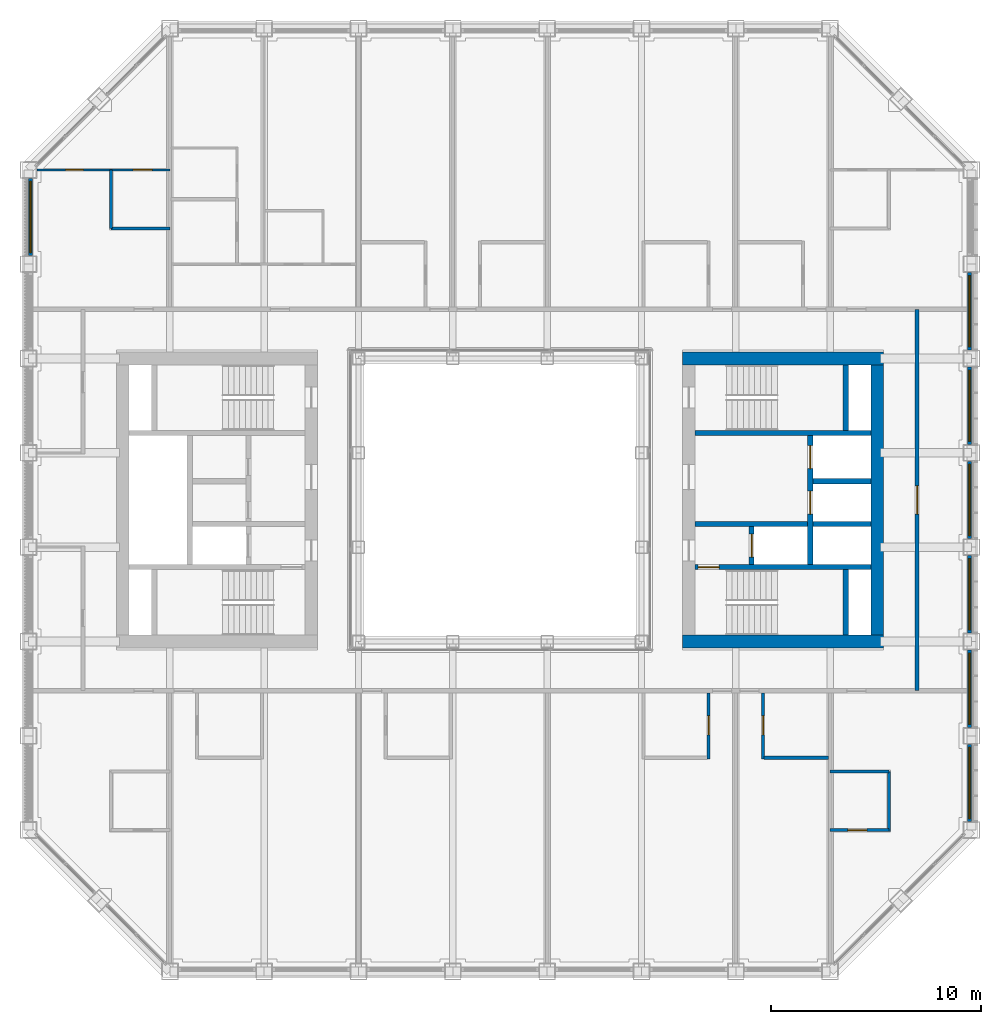
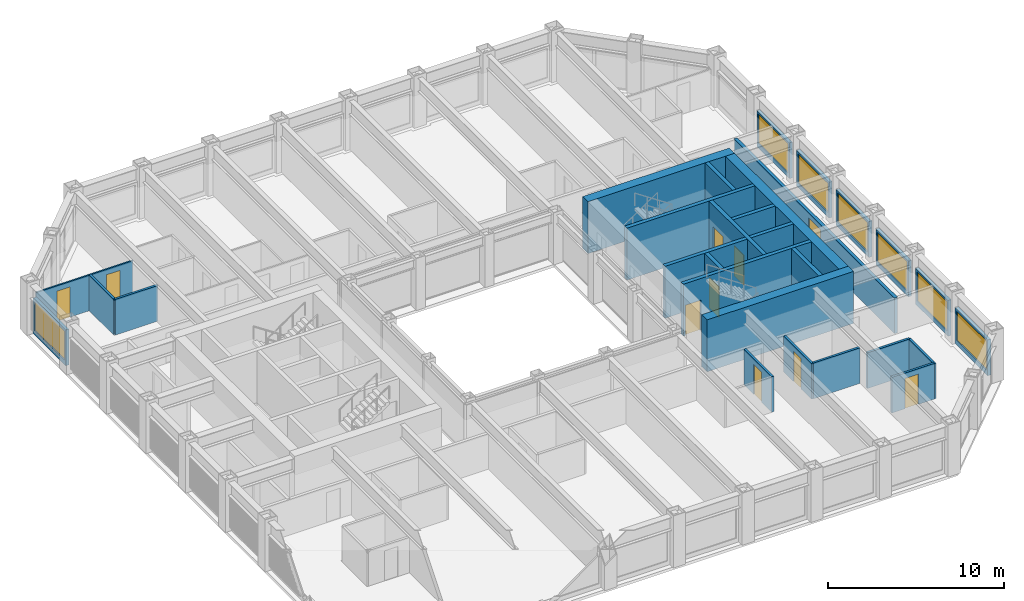
# One storey, part 12 of 17: 29 walls, 10 doors, 7 windows, 17 openings.
"""IFC4 building model written with IfcOpenShell, lengths in metres."""

from ifc_helpers import new_model, si_unit, direction, frame, frame_2d, origin, place, context, subcontext, project, spatial, rectangle, extrude, material, layer, layer_set, type_object, element, fill, save


model = new_model("IFC4")

# Units and contexts
model_context = context("Model", 3, precision=1e-05, world=origin(), true_north=direction((0.0, 1.0)))
body_context = subcontext(model_context, "Body", "Model", "MODEL_VIEW")
ifc_project = project(units=[si_unit("LENGTHUNIT", "METRE"), si_unit("AREAUNIT", "SQUARE_METRE"), si_unit("VOLUMEUNIT", "CUBIC_METRE"), si_unit("PLANEANGLEUNIT", "RADIAN"), si_unit("MASSUNIT", "GRAM", prefix="KILO")], contexts=[model_context])

# Site, building, storey
site_placement = place(None, origin())
site = spatial("IfcSite", under=ifc_project, at=site_placement, CompositionType="ELEMENT")
building_placement = place(site_placement, origin())
building = spatial("IfcBuilding", under=site, at=building_placement, Name="Msasa Ring Tower", CompositionType="ELEMENT")
storey_placement = place(building_placement, frame((0.0, 0.0, 176.0)))
storey = spatial("IfcBuildingStorey", under=building, at=storey_placement, Name="L46", CompositionType="ELEMENT", Elevation=176.0)

# Walls
ifc_material_1 = material(Name="Concrete C60/75", Category="concrete")
ifc_layer_1 = layer(ifc_material_1, 0.60009765625)
ifc_layer_set_1 = layer_set([ifc_layer_1], Name="CW2 CORE WALL 600")
wall_type_1 = type_object("IfcWallType", Name="CW2 CORE WALL 600", PredefinedType="SHEAR", material=ifc_layer_set_1)
for number, where, z_axis, x_axis, name in (
    (1, (8.699951171875, -6.75, 0.0), (0.0, 0.0, 1.0), (1.0, 0.0, 0.0), "E core wall S L46"),
    (2, (8.699951171875, 6.75, 0.0), (0.0, 0.0, 1.0), (1.0, 0.0, 0.0), "E core wall N L46"),
):
    element("IfcWall", number, at=place(storey_placement, frame(where, z_axis=z_axis, x_axis=x_axis)), inside=storey, type_object=wall_type_1, Name=name, PredefinedType="SHEAR", context=body_context, shape_type="SweptSolid", body=[
        extrude(rectangle(XDim=9.60009765625, YDim=0.60009765625, at=frame_2d((4.800048828125, 0.0))), origin(), (0.0, 0.0, 1.0), 3.60009765625),
    ])
wall_1_placement = place(storey_placement, frame((18.0, -6.449951171875, 0.0), z_axis=(0.0, 0.0, 1.0), x_axis=(0.0, 1.0, 0.0)))
element("IfcWall", 3, at=wall_1_placement, inside=storey, type_object=wall_type_1, Name="E core wall E L46", PredefinedType="SHEAR", context=body_context, shape_type="SweptSolid", body=[
    extrude(rectangle(XDim=12.89990234375, YDim=0.60009765625, at=frame_2d((6.449951171875, 0.0))), origin(), (0.0, 0.0, 1.0), 3.60009765625),
])

# Wall, opening, door
ifc_material_2 = material(Name="Concrete C60/75", Category="concrete")
ifc_layer_2 = layer(ifc_material_2, 0.25)
ifc_layer_set_2 = layer_set([ifc_layer_2], Name="CW4 CORE INNER WALL 250")
wall_type_2 = type_object("IfcWallType", Name="CW4 CORE INNER WALL 250", PredefinedType="SHEAR", material=ifc_layer_set_2)
wall_2_placement = place(storey_placement, frame((9.300048828125, -3.199951171875, 0.0), z_axis=(0.0, 0.0, 1.0), x_axis=(1.0, 0.0, 0.0)))
wall_2 = element("IfcWall", 4, at=wall_2_placement, inside=storey, type_object=wall_type_2, Name="E core wall STAIRA L46", PredefinedType="SHEAR", context=body_context, shape_type="SweptSolid", body=[
    extrude(rectangle(XDim=8.39990234375, YDim=0.25, at=frame_2d((4.199951171875, 0.0))), origin(), (0.0, 0.0, 1.0), 3.60009765625),
])
opening_1_placement = place(wall_2_placement, frame((0.14990234375, 0.0, 0.0)))
opening_1 = element("IfcOpeningElement", 5, at=opening_1_placement, cuts=wall_2, Name="Opening HF-032", PredefinedType="OPENING", context=body_context, shape_type="SweptSolid", body=[
    extrude(rectangle(XDim=1.0, YDim=2.10009765625, at=frame_2d((0.5, 1.050048828125))), frame((0.0, 0.135009765625, 0.0), z_axis=(0.0, -1.0, 0.0), x_axis=(1.0, 0.0, 0.0)), (0.0, 0.0, 1.0), 0.27001953125),
])
ifc_material_3 = material(Name="Timber door leaf in a steel frame", Category="steel")
door_type_1 = type_object("IfcDoorType", Name="D6 STAIR DOOR 1000x2100", OperationType="SINGLE_SWING_LEFT", PredefinedType="DOOR", material=ifc_material_3)
door_1_placement = place(opening_1_placement, origin())
door_1 = element("IfcDoor", 6, at=door_1_placement, inside=storey, type_object=door_type_1, Name="Door L46-ESTA", OperationType="SINGLE_SWING_LEFT", OverallHeight=2.10009765625, OverallWidth=1.0, PredefinedType="DOOR", context=body_context, shape_type="SweptSolid", body=[
    extrude(rectangle(XDim=1.0, YDim=2.10009765625, at=frame_2d((0.5, 1.050048828125))), frame((0.0, 0.02490234375, 0.0), z_axis=(0.0, -1.0, 0.0), x_axis=(1.0, 0.0, 0.0)), (0.0, 0.0, 1.0), 0.050048828125),
])
fill(opening_1, door_1)

# Walls
wall_3_placement = place(storey_placement, frame((9.300048828125, 3.199951171875, 0.0), z_axis=(0.0, 0.0, 1.0), x_axis=(1.0, 0.0, 0.0)))
element("IfcWall", 7, at=wall_3_placement, inside=storey, type_object=wall_type_2, Name="E core wall STAIRB L46", PredefinedType="SHEAR", context=body_context, shape_type="SweptSolid", body=[
    extrude(rectangle(XDim=8.39990234375, YDim=0.25, at=frame_2d((4.199951171875, 0.0))), origin(), (0.0, 0.0, 1.0), 3.60009765625),
])
for number, where, z_axis, x_axis, name in (
    (8, (16.5, -6.449951171875, 0.0), (0.0, 0.0, 1.0), (0.0, 1.0, 0.0), "E core wall RISERA L46"),
    (9, (16.5, 3.324951171875, 0.0), (0.0, 0.0, 1.0), (0.0, 1.0, 0.0), "E core wall RISERB L46"),
):
    element("IfcWall", number, at=place(storey_placement, frame(where, z_axis=z_axis, x_axis=x_axis)), inside=storey, type_object=wall_type_2, Name=name, PredefinedType="SHEAR", context=body_context, shape_type="SweptSolid", body=[
        extrude(rectangle(XDim=3.125, YDim=0.25, at=frame_2d((1.5625, 0.0))), origin(), (0.0, 0.0, 1.0), 3.60009765625),
    ])
wall_4_placement = place(storey_placement, frame((9.300048828125, -1.14990234375, 0.0), z_axis=(0.0, 0.0, 1.0), x_axis=(1.0, 0.0, 0.0)))
element("IfcWall", 10, at=wall_4_placement, inside=storey, type_object=wall_type_2, Name="E core wall FFL L46", PredefinedType="SHEAR", context=body_context, shape_type="SweptSolid", body=[
    extrude(rectangle(XDim=5.375, YDim=0.25, at=frame_2d((2.6875, 0.0))), origin(), (0.0, 0.0, 1.0), 3.60009765625),
])

# Wall, opening, door
wall_5_placement = place(storey_placement, frame((12.0, -3.074951171875, 0.0), z_axis=(0.0, 0.0, 1.0), x_axis=(0.0, 1.0, 0.0)))
wall_5 = element("IfcWall", 11, at=wall_5_placement, inside=storey, type_object=wall_type_2, Name="E core wall LOBBY L46", PredefinedType="SHEAR", context=body_context, shape_type="SweptSolid", body=[
    extrude(rectangle(XDim=1.800048828125, YDim=0.25, at=frame_2d((0.89990234375, 0.0))), origin(), (0.0, 0.0, 1.0), 3.60009765625),
])
opening_2_placement = place(wall_5_placement, frame((0.35009765625, 0.0, 0.0)))
opening_2 = element("IfcOpeningElement", 12, at=opening_2_placement, cuts=wall_5, Name="Opening LD1", PredefinedType="OPENING", context=body_context, shape_type="SweptSolid", body=[
    extrude(rectangle(XDim=1.10009765625, YDim=2.10009765625, at=frame_2d((0.550048828125, 1.050048828125))), frame((0.0, 0.135009765625, 0.0), z_axis=(0.0, -1.0, 0.0), x_axis=(1.0, 0.0, 0.0)), (0.0, 0.0, 1.0), 0.27001953125),
])
ifc_material_4 = material(Name="Stainless steel lift landing door", Category="steel")
door_type_2 = type_object("IfcDoorType", Name="LD1 LIFT LANDING DOOR 1100x2100", OperationType="DOUBLE_DOOR_SLIDING", PredefinedType="DOOR", material=ifc_material_4)
door_2_placement = place(opening_2_placement, origin())
door_2 = element("IfcDoor", 13, at=door_2_placement, inside=storey, type_object=door_type_2, Name="Lift landing door FL-E L46", OperationType="DOUBLE_DOOR_SLIDING", OverallHeight=2.10009765625, OverallWidth=1.10009765625, PredefinedType="DOOR", context=body_context, shape_type="SweptSolid", body=[
    extrude(rectangle(XDim=1.10009765625, YDim=2.10009765625, at=frame_2d((0.550048828125, 1.050048828125))), frame((0.0, 0.02490234375, 0.0), z_axis=(0.0, -1.0, 0.0), x_axis=(1.0, 0.0, 0.0)), (0.0, 0.0, 1.0), 0.050048828125),
])
fill(opening_2, door_2)

# Wall, openings, doors
wall_6_placement = place(storey_placement, frame((14.800048828125, -3.074951171875, 0.0), z_axis=(0.0, 0.0, 1.0), x_axis=(0.0, 1.0, 0.0)))
wall_6 = element("IfcWall", 14, at=wall_6_placement, inside=storey, type_object=wall_type_2, Name="E core wall SHAFT L46", PredefinedType="SHEAR", context=body_context, shape_type="SweptSolid", body=[
    extrude(rectangle(XDim=6.14990234375, YDim=0.25, at=frame_2d((3.074951171875, 0.0))), origin(), (0.0, 0.0, 1.0), 3.60009765625),
])
opening_3_placement = place(wall_6_placement, frame((2.39990234375, 0.0, 0.0)))
opening_3 = element("IfcOpeningElement", 15, at=opening_3_placement, cuts=wall_6, Name="Opening LD1", PredefinedType="OPENING", context=body_context, shape_type="SweptSolid", body=[
    extrude(rectangle(XDim=1.10009765625, YDim=2.10009765625, at=frame_2d((0.550048828125, 1.050048828125))), frame((0.0, 0.135009765625, 0.0), z_axis=(0.0, -1.0, 0.0), x_axis=(1.0, 0.0, 0.0)), (0.0, 0.0, 1.0), 0.27001953125),
])
opening_4_placement = place(wall_6_placement, frame((4.574951171875, 0.0, 0.0)))
opening_4 = element("IfcOpeningElement", 16, at=opening_4_placement, cuts=wall_6, Name="Opening LD1", PredefinedType="OPENING", context=body_context, shape_type="SweptSolid", body=[
    extrude(rectangle(XDim=1.10009765625, YDim=2.10009765625, at=frame_2d((0.550048828125, 1.050048828125))), frame((0.0, 0.135009765625, 0.0), z_axis=(0.0, -1.0, 0.0), x_axis=(1.0, 0.0, 0.0)), (0.0, 0.0, 1.0), 0.27001953125),
])
door_3_placement = place(opening_3_placement, origin())
door_3 = element("IfcDoor", 17, at=door_3_placement, inside=storey, type_object=door_type_2, Name="Lift landing door PL-H1 L46", OperationType="DOUBLE_DOOR_SLIDING", OverallHeight=2.10009765625, OverallWidth=1.10009765625, PredefinedType="DOOR", context=body_context, shape_type="SweptSolid", body=[
    extrude(rectangle(XDim=1.10009765625, YDim=2.10009765625, at=frame_2d((0.550048828125, 1.050048828125))), frame((0.0, 0.02490234375, 0.0), z_axis=(0.0, -1.0, 0.0), x_axis=(1.0, 0.0, 0.0)), (0.0, 0.0, 1.0), 0.050048828125),
])
fill(opening_3, door_3)
door_4_placement = place(opening_4_placement, origin())
door_4 = element("IfcDoor", 18, at=door_4_placement, inside=storey, type_object=door_type_2, Name="Lift landing door PL-H2 L46", OperationType="DOUBLE_DOOR_SLIDING", OverallHeight=2.10009765625, OverallWidth=1.10009765625, PredefinedType="DOOR", context=body_context, shape_type="SweptSolid", body=[
    extrude(rectangle(XDim=1.10009765625, YDim=2.10009765625, at=frame_2d((0.550048828125, 1.050048828125))), frame((0.0, 0.02490234375, 0.0), z_axis=(0.0, -1.0, 0.0), x_axis=(1.0, 0.0, 0.0)), (0.0, 0.0, 1.0), 0.050048828125),
])
fill(opening_4, door_4)

# Walls
for number, where, z_axis, x_axis, name in (
    (19, (14.925048828125, -1.14990234375, 0.0), (0.0, 0.0, 1.0), (1.0, 0.0, 0.0), "E core wall HSEP L46"),
    (20, (14.925048828125, 0.89990234375, 0.0), (0.0, 0.0, 1.0), (1.0, 0.0, 0.0), "E core wall HLIFT L46"),
):
    element("IfcWall", number, at=place(storey_placement, frame(where, z_axis=z_axis, x_axis=x_axis)), inside=storey, type_object=wall_type_2, Name=name, PredefinedType="SHEAR", context=body_context, shape_type="SweptSolid", body=[
        extrude(rectangle(XDim=2.77490234375, YDim=0.25, at=frame_2d((1.387451171875, 0.0))), origin(), (0.0, 0.0, 1.0), 3.60009765625),
    ])

# Wall, opening, window
ifc_material_5 = material(Name="Terracotta rainscreen on blockwork", Category="masonry")
ifc_layer_3 = layer(ifc_material_5, 0.199951171875)
ifc_layer_set_3 = layer_set([ifc_layer_3], Name="FW1 TERRACOTTA-LINED INFILL BAY WALL 200")
wall_type_3 = type_object("IfcWallType", Name="FW1 TERRACOTTA-LINED INFILL BAY WALL 200", PredefinedType="SOLIDWALL", material=ifc_layer_set_3)
wall_7_placement = place(storey_placement, frame((22.39990234375, -15.344970703125, 0.0), z_axis=(0.0, 0.0, 1.0), x_axis=(0.0, 1.0, 0.0)))
wall_7 = element("IfcWall", 21, at=wall_7_placement, inside=storey, type_object=wall_type_3, Name="Infill bay wall E L46 09", PredefinedType="SOLIDWALL", context=body_context, shape_type="SweptSolid", body=[
    extrude(rectangle(XDim=3.68994140625, YDim=0.199951171875, at=frame_2d((1.844970703125, 0.0))), origin(), (0.0, 0.0, 1.0), 2.47900390625),
])
opening_5_placement = place(wall_7_placement, frame((0.14501953125, 0.0, 0.300048828125)))
opening_5 = element("IfcOpeningElement", 22, at=opening_5_placement, cuts=wall_7, Name="Opening WN2", PredefinedType="OPENING", context=body_context, shape_type="SweptSolid", body=[
    extrude(rectangle(XDim=3.39990234375, YDim=2.029052734375, at=frame_2d((1.699951171875, 1.0146484375))), frame((0.0, 0.10986328125, 0.0), z_axis=(0.0, -1.0, 0.0), x_axis=(1.0, 0.0, 0.0)), (0.0, 0.0, 1.0), 0.219970703125),
])
ifc_material_6 = material(Name="Aluminium frame with clear glass", Category="aluminium")
window_type = type_object("IfcWindowType", Name="WN2 GUEST ROOM WINDOW 3400x2029", PartitioningType="SINGLE_PANEL", PredefinedType="WINDOW", material=ifc_material_6)
window_1_placement = place(opening_5_placement, origin())
window_1 = element("IfcWindow", 23, at=window_1_placement, inside=storey, type_object=window_type, Name="Window E L46 09", OverallHeight=2.029052734375, OverallWidth=3.39990234375, PartitioningType="SINGLE_PANEL", PredefinedType="WINDOW", context=body_context, shape_type="SweptSolid", body=[
    extrude(rectangle(XDim=3.39990234375, YDim=2.029052734375, at=frame_2d((1.699951171875, 1.0146484375))), frame((0.0, 0.030029296875, 0.0), z_axis=(0.0, -1.0, 0.0), x_axis=(1.0, 0.0, 0.0)), (0.0, 0.0, 1.0), 0.06005859375),
])
fill(opening_5, window_1)

wall_8_placement = place(storey_placement, frame((22.39990234375, -10.844970703125, 0.0), z_axis=(0.0, 0.0, 1.0), x_axis=(0.0, 1.0, 0.0)))
wall_8 = element("IfcWall", 24, at=wall_8_placement, inside=storey, type_object=wall_type_3, Name="Infill bay wall E L46 10", PredefinedType="SOLIDWALL", context=body_context, shape_type="SweptSolid", body=[
    extrude(rectangle(XDim=3.68994140625, YDim=0.199951171875, at=frame_2d((1.844970703125, 0.0))), origin(), (0.0, 0.0, 1.0), 2.47900390625),
])
opening_6_placement = place(wall_8_placement, frame((0.14501953125, 0.0, 0.300048828125)))
opening_6 = element("IfcOpeningElement", 25, at=opening_6_placement, cuts=wall_8, Name="Opening WN2", PredefinedType="OPENING", context=body_context, shape_type="SweptSolid", body=[
    extrude(rectangle(XDim=3.39990234375, YDim=2.029052734375, at=frame_2d((1.699951171875, 1.0146484375))), frame((0.0, 0.10986328125, 0.0), z_axis=(0.0, -1.0, 0.0), x_axis=(1.0, 0.0, 0.0)), (0.0, 0.0, 1.0), 0.219970703125),
])
window_2_placement = place(opening_6_placement, origin())
window_2 = element("IfcWindow", 26, at=window_2_placement, inside=storey, type_object=window_type, Name="Window E L46 10", OverallHeight=2.029052734375, OverallWidth=3.39990234375, PartitioningType="SINGLE_PANEL", PredefinedType="WINDOW", context=body_context, shape_type="SweptSolid", body=[
    extrude(rectangle(XDim=3.39990234375, YDim=2.029052734375, at=frame_2d((1.699951171875, 1.0146484375))), frame((0.0, 0.030029296875, 0.0), z_axis=(0.0, -1.0, 0.0), x_axis=(1.0, 0.0, 0.0)), (0.0, 0.0, 1.0), 0.06005859375),
])
fill(opening_6, window_2)

wall_9_placement = place(storey_placement, frame((22.39990234375, -6.344970703125, 0.0), z_axis=(0.0, 0.0, 1.0), x_axis=(0.0, 1.0, 0.0)))
wall_9 = element("IfcWall", 27, at=wall_9_placement, inside=storey, type_object=wall_type_3, Name="Infill bay wall E L46 11", PredefinedType="SOLIDWALL", context=body_context, shape_type="SweptSolid", body=[
    extrude(rectangle(XDim=3.68994140625, YDim=0.199951171875, at=frame_2d((1.844970703125, 0.0))), origin(), (0.0, 0.0, 1.0), 2.47900390625),
])
opening_7_placement = place(wall_9_placement, frame((0.14501953125, 0.0, 0.300048828125)))
opening_7 = element("IfcOpeningElement", 28, at=opening_7_placement, cuts=wall_9, Name="Opening WN2", PredefinedType="OPENING", context=body_context, shape_type="SweptSolid", body=[
    extrude(rectangle(XDim=3.39990234375, YDim=2.029052734375, at=frame_2d((1.699951171875, 1.0146484375))), frame((0.0, 0.10986328125, 0.0), z_axis=(0.0, -1.0, 0.0), x_axis=(1.0, 0.0, 0.0)), (0.0, 0.0, 1.0), 0.219970703125),
])
window_3_placement = place(opening_7_placement, origin())
window_3 = element("IfcWindow", 29, at=window_3_placement, inside=storey, type_object=window_type, Name="Window E L46 11", OverallHeight=2.029052734375, OverallWidth=3.39990234375, PartitioningType="SINGLE_PANEL", PredefinedType="WINDOW", context=body_context, shape_type="SweptSolid", body=[
    extrude(rectangle(XDim=3.39990234375, YDim=2.029052734375, at=frame_2d((1.699951171875, 1.0146484375))), frame((0.0, 0.030029296875, 0.0), z_axis=(0.0, -1.0, 0.0), x_axis=(1.0, 0.0, 0.0)), (0.0, 0.0, 1.0), 0.06005859375),
])
fill(opening_7, window_3)

wall_10_placement = place(storey_placement, frame((22.39990234375, -1.844970703125, 0.0), z_axis=(0.0, 0.0, 1.0), x_axis=(0.0, 1.0, 0.0)))
wall_10 = element("IfcWall", 30, at=wall_10_placement, inside=storey, type_object=wall_type_3, Name="Infill bay wall E L46 12", PredefinedType="SOLIDWALL", context=body_context, shape_type="SweptSolid", body=[
    extrude(rectangle(XDim=3.68994140625, YDim=0.199951171875, at=frame_2d((1.844970703125, 0.0))), origin(), (0.0, 0.0, 1.0), 2.47900390625),
])
opening_8_placement = place(wall_10_placement, frame((0.14501953125, 0.0, 0.300048828125)))
opening_8 = element("IfcOpeningElement", 31, at=opening_8_placement, cuts=wall_10, Name="Opening WN2", PredefinedType="OPENING", context=body_context, shape_type="SweptSolid", body=[
    extrude(rectangle(XDim=3.39990234375, YDim=2.029052734375, at=frame_2d((1.699951171875, 1.0146484375))), frame((0.0, 0.10986328125, 0.0), z_axis=(0.0, -1.0, 0.0), x_axis=(1.0, 0.0, 0.0)), (0.0, 0.0, 1.0), 0.219970703125),
])
window_4_placement = place(opening_8_placement, origin())
window_4 = element("IfcWindow", 32, at=window_4_placement, inside=storey, type_object=window_type, Name="Window E L46 12", OverallHeight=2.029052734375, OverallWidth=3.39990234375, PartitioningType="SINGLE_PANEL", PredefinedType="WINDOW", context=body_context, shape_type="SweptSolid", body=[
    extrude(rectangle(XDim=3.39990234375, YDim=2.029052734375, at=frame_2d((1.699951171875, 1.0146484375))), frame((0.0, 0.030029296875, 0.0), z_axis=(0.0, -1.0, 0.0), x_axis=(1.0, 0.0, 0.0)), (0.0, 0.0, 1.0), 0.06005859375),
])
fill(opening_8, window_4)

wall_11_placement = place(storey_placement, frame((22.39990234375, 2.655029296875, 0.0), z_axis=(0.0, 0.0, 1.0), x_axis=(0.0, 1.0, 0.0)))
wall_11 = element("IfcWall", 33, at=wall_11_placement, inside=storey, type_object=wall_type_3, Name="Infill bay wall E L46 13", PredefinedType="SOLIDWALL", context=body_context, shape_type="SweptSolid", body=[
    extrude(rectangle(XDim=3.68994140625, YDim=0.199951171875, at=frame_2d((1.844970703125, 0.0))), origin(), (0.0, 0.0, 1.0), 2.47900390625),
])
opening_9_placement = place(wall_11_placement, frame((0.14501953125, 0.0, 0.300048828125)))
opening_9 = element("IfcOpeningElement", 34, at=opening_9_placement, cuts=wall_11, Name="Opening WN2", PredefinedType="OPENING", context=body_context, shape_type="SweptSolid", body=[
    extrude(rectangle(XDim=3.39990234375, YDim=2.029052734375, at=frame_2d((1.699951171875, 1.0146484375))), frame((0.0, 0.10986328125, 0.0), z_axis=(0.0, -1.0, 0.0), x_axis=(1.0, 0.0, 0.0)), (0.0, 0.0, 1.0), 0.219970703125),
])
window_5_placement = place(opening_9_placement, origin())
window_5 = element("IfcWindow", 35, at=window_5_placement, inside=storey, type_object=window_type, Name="Window E L46 13", OverallHeight=2.029052734375, OverallWidth=3.39990234375, PartitioningType="SINGLE_PANEL", PredefinedType="WINDOW", context=body_context, shape_type="SweptSolid", body=[
    extrude(rectangle(XDim=3.39990234375, YDim=2.029052734375, at=frame_2d((1.699951171875, 1.0146484375))), frame((0.0, 0.030029296875, 0.0), z_axis=(0.0, -1.0, 0.0), x_axis=(1.0, 0.0, 0.0)), (0.0, 0.0, 1.0), 0.06005859375),
])
fill(opening_9, window_5)

wall_12_placement = place(storey_placement, frame((22.39990234375, 7.155029296875, 0.0), z_axis=(0.0, 0.0, 1.0), x_axis=(0.0, 1.0, 0.0)))
wall_12 = element("IfcWall", 36, at=wall_12_placement, inside=storey, type_object=wall_type_3, Name="Infill bay wall E L46 14", PredefinedType="SOLIDWALL", context=body_context, shape_type="SweptSolid", body=[
    extrude(rectangle(XDim=3.68994140625, YDim=0.199951171875, at=frame_2d((1.844970703125, 0.0))), origin(), (0.0, 0.0, 1.0), 2.47900390625),
])
opening_10_placement = place(wall_12_placement, frame((0.14501953125, 0.0, 0.300048828125)))
opening_10 = element("IfcOpeningElement", 37, at=opening_10_placement, cuts=wall_12, Name="Opening WN2", PredefinedType="OPENING", context=body_context, shape_type="SweptSolid", body=[
    extrude(rectangle(XDim=3.39990234375, YDim=2.029052734375, at=frame_2d((1.699951171875, 1.0146484375))), frame((0.0, 0.10986328125, 0.0), z_axis=(0.0, -1.0, 0.0), x_axis=(1.0, 0.0, 0.0)), (0.0, 0.0, 1.0), 0.219970703125),
])
window_6_placement = place(opening_10_placement, origin())
window_6 = element("IfcWindow", 38, at=window_6_placement, inside=storey, type_object=window_type, Name="Window E L46 14", OverallHeight=2.029052734375, OverallWidth=3.39990234375, PartitioningType="SINGLE_PANEL", PredefinedType="WINDOW", context=body_context, shape_type="SweptSolid", body=[
    extrude(rectangle(XDim=3.39990234375, YDim=2.029052734375, at=frame_2d((1.699951171875, 1.0146484375))), frame((0.0, 0.030029296875, 0.0), z_axis=(0.0, -1.0, 0.0), x_axis=(1.0, 0.0, 0.0)), (0.0, 0.0, 1.0), 0.06005859375),
])
fill(opening_10, window_6)

wall_13_placement = place(storey_placement, frame((-22.39990234375, 11.655029296875, 0.0), z_axis=(0.0, 0.0, 1.0), x_axis=(0.0, 1.0, 0.0)))
wall_13 = element("IfcWall", 39, at=wall_13_placement, inside=storey, type_object=wall_type_3, Name="Infill bay wall W L46 33", PredefinedType="SOLIDWALL", context=body_context, shape_type="SweptSolid", body=[
    extrude(rectangle(XDim=3.68994140625, YDim=0.199951171875, at=frame_2d((1.844970703125, 0.0))), origin(), (0.0, 0.0, 1.0), 2.47900390625),
])
opening_11_placement = place(wall_13_placement, frame((0.14501953125, 0.0, 0.300048828125)))
opening_11 = element("IfcOpeningElement", 40, at=opening_11_placement, cuts=wall_13, Name="Opening WN2", PredefinedType="OPENING", context=body_context, shape_type="SweptSolid", body=[
    extrude(rectangle(XDim=3.39990234375, YDim=2.029052734375, at=frame_2d((1.699951171875, 1.0146484375))), frame((0.0, 0.10986328125, 0.0), z_axis=(0.0, -1.0, 0.0), x_axis=(1.0, 0.0, 0.0)), (0.0, 0.0, 1.0), 0.219970703125),
])
window_7_placement = place(opening_11_placement, origin())
window_7 = element("IfcWindow", 41, at=window_7_placement, inside=storey, type_object=window_type, Name="Window W L46 33", OverallHeight=2.029052734375, OverallWidth=3.39990234375, PartitioningType="SINGLE_PANEL", PredefinedType="WINDOW", context=body_context, shape_type="SweptSolid", body=[
    extrude(rectangle(XDim=3.39990234375, YDim=2.029052734375, at=frame_2d((1.699951171875, 1.0146484375))), frame((0.0, 0.030029296875, 0.0), z_axis=(0.0, -1.0, 0.0), x_axis=(1.0, 0.0, 0.0)), (0.0, 0.0, 1.0), 0.06005859375),
])
fill(opening_11, window_7)

# Wall, opening, door
ifc_material_7 = material(Name="Concrete blockwork", Category="masonry")
ifc_layer_4 = layer(ifc_material_7, 0.199951171875)
ifc_layer_set_4 = layer_set([ifc_layer_4], Name="PT1 CORRIDOR WALL 200")
wall_type_4 = type_object("IfcWallType", Name="PT1 CORRIDOR WALL 200", PredefinedType="PARTITIONING", material=ifc_layer_set_4)
wall_14_placement = place(storey_placement, frame((19.89990234375, -9.10009765625, 0.0), z_axis=(0.0, 0.0, 1.0), x_axis=(0.0, 1.0, 0.0)))
wall_14 = element("IfcWall", 42, at=wall_14_placement, inside=storey, type_object=wall_type_4, Name="Corridor wall L46-STRE", PredefinedType="PARTITIONING", context=body_context, shape_type="SweptSolid", body=[
    extrude(rectangle(XDim=18.2001953125, YDim=0.199951171875, at=frame_2d((9.10009765625, 0.0))), origin(), (0.0, 0.0, 1.0), 2.473388671875),
])
opening_12_placement = place(wall_14_placement, frame((8.425048828125, 0.0, 0.0)))
opening_12 = element("IfcOpeningElement", 43, at=opening_12_placement, cuts=wall_14, Name="Opening HF-027", PredefinedType="OPENING", context=body_context, shape_type="SweptSolid", body=[
    extrude(rectangle(XDim=1.35009765625, YDim=2.10009765625, at=frame_2d((0.675048828125, 1.050048828125))), frame((0.0, 0.10986328125, 0.0), z_axis=(0.0, -1.0, 0.0), x_axis=(1.0, 0.0, 0.0)), (0.0, 0.0, 1.0), 0.219970703125),
])
ifc_material_8 = material(Name="Timber door leaf in a steel frame", Category="steel")
door_type_3 = type_object("IfcDoorType", Name="D23 HOUSEKEEPING UNEQUAL PAIR OF DOORS 1350x2100", OperationType="SINGLE_SWING_LEFT", PredefinedType="DOOR", material=ifc_material_8)
door_5_placement = place(opening_12_placement, origin())
door_5 = element("IfcDoor", 44, at=door_5_placement, inside=storey, type_object=door_type_3, Name="Door L46-HKE", OperationType="SINGLE_SWING_LEFT", OverallHeight=2.10009765625, OverallWidth=1.35009765625, PredefinedType="DOOR", context=body_context, shape_type="SweptSolid", body=[
    extrude(rectangle(XDim=1.35009765625, YDim=2.10009765625, at=frame_2d((0.675048828125, 1.050048828125))), frame((0.0, 0.02490234375, 0.0), z_axis=(0.0, -1.0, 0.0), x_axis=(1.0, 0.0, 0.0)), (0.0, 0.0, 1.0), 0.050048828125),
])
fill(opening_12, door_5)

# Wall, openings, doors
ifc_material_9 = material(Name="Gypsum board on steel studs", Category="steel")
ifc_layer_5 = layer(ifc_material_9, 0.10009765625)
ifc_layer_set_5 = layer_set([ifc_layer_5], Name="PT2 STUD PARTITION 100")
wall_type_5 = type_object("IfcWallType", Name="PT2 STUD PARTITION 100", PredefinedType="PARTITIONING", material=ifc_layer_set_5)
wall_15_placement = place(storey_placement, frame((-22.10009765625, 15.75, 0.0), z_axis=(0.0, 0.0, 1.0), x_axis=(1.0, 0.0, 0.0)))
wall_15 = element("IfcWall", 45, at=wall_15_placement, inside=storey, type_object=wall_type_5, Name="Partition L46-CSNWX", PredefinedType="PARTITIONING", context=body_context, shape_type="SweptSolid", body=[
    extrude(rectangle(XDim=6.35009765625, YDim=0.10009765625, at=frame_2d((3.175048828125, 0.0))), origin(), (0.0, 0.0, 1.0), 2.473388671875),
])
opening_13_placement = place(wall_15_placement, frame((1.375, 0.0, 0.0)))
opening_13 = element("IfcOpeningElement", 46, at=opening_13_placement, cuts=wall_15, Name="Opening HF-001", PredefinedType="OPENING", context=body_context, shape_type="SweptSolid", body=[
    extrude(rectangle(XDim=0.85009765625, YDim=2.10009765625, at=frame_2d((0.425048828125, 1.050048828125))), frame((0.0, 0.06005859375, 0.0), z_axis=(0.0, -1.0, 0.0), x_axis=(1.0, 0.0, 0.0)), (0.0, 0.0, 1.0), 0.1201171875),
])
opening_14_placement = place(wall_15_placement, frame((4.60009765625, 0.0, 0.0)))
opening_14 = element("IfcOpeningElement", 47, at=opening_14_placement, cuts=wall_15, Name="Opening HF-002", PredefinedType="OPENING", context=body_context, shape_type="SweptSolid", body=[
    extrude(rectangle(XDim=0.89990234375, YDim=2.10009765625, at=frame_2d((0.449951171875, 1.050048828125))), frame((0.0, 0.06005859375, 0.0), z_axis=(0.0, -1.0, 0.0), x_axis=(1.0, 0.0, 0.0)), (0.0, 0.0, 1.0), 0.1201171875),
])
ifc_material_10 = material(Name="Timber door leaf in a steel frame", Category="steel")
door_type_4 = type_object("IfcDoorType", Name="D14 BEDROOM DOOR 850x2100", OperationType="SINGLE_SWING_LEFT", PredefinedType="DOOR", material=ifc_material_10)
door_6_placement = place(opening_13_placement, origin())
door_6 = element("IfcDoor", 48, at=door_6_placement, inside=storey, type_object=door_type_4, Name="Door L46-CSNWR1", OperationType="SINGLE_SWING_LEFT", OverallHeight=2.10009765625, OverallWidth=0.85009765625, PredefinedType="DOOR", context=body_context, shape_type="SweptSolid", body=[
    extrude(rectangle(XDim=0.85009765625, YDim=2.10009765625, at=frame_2d((0.425048828125, 1.050048828125))), frame((0.0, 0.02490234375, 0.0), z_axis=(0.0, -1.0, 0.0), x_axis=(1.0, 0.0, 0.0)), (0.0, 0.0, 1.0), 0.050048828125),
])
fill(opening_13, door_6)
ifc_material_11 = material(Name="Timber door leaf in a steel frame", Category="steel")
door_type_5 = type_object("IfcDoorType", Name="D3 BATHROOM DOOR 900x2100", OperationType="SINGLE_SWING_LEFT", PredefinedType="DOOR", material=ifc_material_11)
door_7_placement = place(opening_14_placement, origin())
door_7 = element("IfcDoor", 49, at=door_7_placement, inside=storey, type_object=door_type_5, Name="Door L46-CSNWB1", OperationType="SINGLE_SWING_RIGHT", OverallHeight=2.10009765625, OverallWidth=0.89990234375, PredefinedType="DOOR", context=body_context, shape_type="SweptSolid", body=[
    extrude(rectangle(XDim=0.89990234375, YDim=2.10009765625, at=frame_2d((0.449951171875, 1.050048828125))), frame((0.0, 0.02490234375, 0.0), z_axis=(0.0, -1.0, 0.0), x_axis=(1.0, 0.0, 0.0)), (0.0, 0.0, 1.0), 0.050048828125),
])
fill(opening_14, door_7)

# Walls
ifc_material_12 = material(Name="Moisture-resistant board on steel studs with a concealed cistern and pipe void, tiled", Category="steel")
ifc_layer_6 = layer(ifc_material_12, 0.14990234375)
ifc_layer_set_6 = layer_set([ifc_layer_6], Name="PT4 BATHROOM WET WALL 150")
wall_type_6 = type_object("IfcWallType", Name="PT4 BATHROOM WET WALL 150", PredefinedType="PARTITIONING", material=ifc_layer_set_6)
for number, where, z_axis, x_axis, name in (
    (50, (-18.550048828125, 12.949951171875, 0.0), (0.0, 0.0, 1.0), (0.0, 1.0, 0.0), "Partition L46-CSNWBX"),
    (51, (-18.550048828125, 12.949951171875, 0.0), (0.0, 0.0, 1.0), (1.0, 0.0, 0.0), "Partition L46-CSNWBY"),
):
    element("IfcWall", number, at=place(storey_placement, frame(where, z_axis=z_axis, x_axis=x_axis)), inside=storey, type_object=wall_type_6, Name=name, PredefinedType="PARTITIONING", context=body_context, shape_type="SweptSolid", body=[
        extrude(rectangle(XDim=2.800048828125, YDim=0.14990234375, at=frame_2d((1.39990234375, 0.0))), origin(), (0.0, 0.0, 1.0), 2.473388671875),
    ])

# Wall, opening, door
wall_16_placement = place(storey_placement, frame((9.949951171875, -12.35009765625, 0.0), z_axis=(0.0, 0.0, 1.0), x_axis=(0.0, 1.0, 0.0)))
wall_16 = element("IfcWall", 52, at=wall_16_placement, inside=storey, type_object=wall_type_6, Name="Partition L46-GS02BX", PredefinedType="PARTITIONING", context=body_context, shape_type="SweptSolid", body=[
    extrude(rectangle(XDim=3.150146484375, YDim=0.14990234375, at=frame_2d((1.5751953125, 0.0))), origin(), (0.0, 0.0, 1.0), 2.473388671875),
])
opening_15_placement = place(wall_16_placement, frame((1.14990234375, 0.0, 0.0)))
opening_15 = element("IfcOpeningElement", 53, at=opening_15_placement, cuts=wall_16, Name="Opening HF-042", PredefinedType="OPENING", context=body_context, shape_type="SweptSolid", body=[
    extrude(rectangle(XDim=0.89990234375, YDim=2.10009765625, at=frame_2d((0.449951171875, 1.050048828125))), frame((0.0, 0.0849609375, 0.0), z_axis=(0.0, -1.0, 0.0), x_axis=(1.0, 0.0, 0.0)), (0.0, 0.0, 1.0), 0.169921875),
])
door_8_placement = place(opening_15_placement, origin())
door_8 = element("IfcDoor", 54, at=door_8_placement, inside=storey, type_object=door_type_5, Name="Door L46-GS02B", OperationType="SINGLE_SWING_LEFT", OverallHeight=2.10009765625, OverallWidth=0.89990234375, PredefinedType="DOOR", context=body_context, shape_type="SweptSolid", body=[
    extrude(rectangle(XDim=0.89990234375, YDim=2.10009765625, at=frame_2d((0.449951171875, 1.050048828125))), frame((0.0, 0.02490234375, 0.0), z_axis=(0.0, -1.0, 0.0), x_axis=(1.0, 0.0, 0.0)), (0.0, 0.0, 1.0), 0.050048828125),
])
fill(opening_15, door_8)

wall_17_placement = place(storey_placement, frame((12.550048828125, -12.35009765625, 0.0), z_axis=(0.0, 0.0, 1.0), x_axis=(0.0, 1.0, 0.0)))
wall_17 = element("IfcWall", 55, at=wall_17_placement, inside=storey, type_object=wall_type_6, Name="Partition L46-GS03BX", PredefinedType="PARTITIONING", context=body_context, shape_type="SweptSolid", body=[
    extrude(rectangle(XDim=3.150146484375, YDim=0.14990234375, at=frame_2d((1.5751953125, 0.0))), origin(), (0.0, 0.0, 1.0), 2.473388671875),
])
opening_16_placement = place(wall_17_placement, frame((1.14990234375, 0.0, 0.0)))
opening_16 = element("IfcOpeningElement", 56, at=opening_16_placement, cuts=wall_17, Name="Opening HF-043", PredefinedType="OPENING", context=body_context, shape_type="SweptSolid", body=[
    extrude(rectangle(XDim=0.89990234375, YDim=2.10009765625, at=frame_2d((0.449951171875, 1.050048828125))), frame((0.0, 0.0849609375, 0.0), z_axis=(0.0, -1.0, 0.0), x_axis=(1.0, 0.0, 0.0)), (0.0, 0.0, 1.0), 0.169921875),
])
door_9_placement = place(opening_16_placement, origin())
door_9 = element("IfcDoor", 57, at=door_9_placement, inside=storey, type_object=door_type_5, Name="Door L46-GS03B", OperationType="SINGLE_SWING_LEFT", OverallHeight=2.10009765625, OverallWidth=0.89990234375, PredefinedType="DOOR", context=body_context, shape_type="SweptSolid", body=[
    extrude(rectangle(XDim=0.89990234375, YDim=2.10009765625, at=frame_2d((0.449951171875, 1.050048828125))), frame((0.0, 0.02490234375, 0.0), z_axis=(0.0, -1.0, 0.0), x_axis=(1.0, 0.0, 0.0)), (0.0, 0.0, 1.0), 0.050048828125),
])
fill(opening_16, door_9)

# Walls
wall_18_placement = place(storey_placement, frame((12.60009765625, -12.300048828125, 0.0), z_axis=(0.0, 0.0, 1.0), x_axis=(1.0, 0.0, 0.0)))
element("IfcWall", 58, at=wall_18_placement, inside=storey, type_object=wall_type_6, Name="Partition L46-GS03BY", PredefinedType="PARTITIONING", context=body_context, shape_type="SweptSolid", body=[
    extrude(rectangle(XDim=3.0625, YDim=0.14990234375, at=frame_2d((1.53125, 0.0))), origin(), (0.0, 0.0, 1.0), 2.473388671875),
])
wall_19_placement = place(storey_placement, frame((18.550048828125, -15.824951171875, 0.0), z_axis=(0.0, 0.0, 1.0), x_axis=(0.0, 1.0, 0.0)))
element("IfcWall", 59, at=wall_19_placement, inside=storey, type_object=wall_type_6, Name="Partition L46-CSSEBX", PredefinedType="PARTITIONING", context=body_context, shape_type="SweptSolid", body=[
    extrude(rectangle(XDim=2.875, YDim=0.14990234375, at=frame_2d((1.4375, 0.0))), origin(), (0.0, 0.0, 1.0), 2.473388671875),
])
wall_20_placement = place(storey_placement, frame((15.75, -12.949951171875, 0.0), z_axis=(0.0, 0.0, 1.0), x_axis=(1.0, 0.0, 0.0)))
element("IfcWall", 60, at=wall_20_placement, inside=storey, type_object=wall_type_6, Name="Partition L46-CSSEBY", PredefinedType="PARTITIONING", context=body_context, shape_type="SweptSolid", body=[
    extrude(rectangle(XDim=2.800048828125, YDim=0.14990234375, at=frame_2d((1.39990234375, 0.0))), origin(), (0.0, 0.0, 1.0), 2.473388671875),
])

# Wall, opening, door
wall_21_placement = place(storey_placement, frame((15.75, -15.75, 0.0), z_axis=(0.0, 0.0, 1.0), x_axis=(1.0, 0.0, 0.0)))
wall_21 = element("IfcWall", 61, at=wall_21_placement, inside=storey, type_object=wall_type_6, Name="Partition L46-CSSEBZ", PredefinedType="PARTITIONING", context=body_context, shape_type="SweptSolid", body=[
    extrude(rectangle(XDim=2.800048828125, YDim=0.14990234375, at=frame_2d((1.39990234375, 0.0))), origin(), (0.0, 0.0, 1.0), 2.473388671875),
])
opening_17_placement = place(wall_21_placement, frame((0.85009765625, 0.0, 0.0)))
opening_17 = element("IfcOpeningElement", 62, at=opening_17_placement, cuts=wall_21, Name="Opening HF-045", PredefinedType="OPENING", context=body_context, shape_type="SweptSolid", body=[
    extrude(rectangle(XDim=0.89990234375, YDim=2.10009765625, at=frame_2d((0.449951171875, 1.050048828125))), frame((0.0, 0.0849609375, 0.0), z_axis=(0.0, -1.0, 0.0), x_axis=(1.0, 0.0, 0.0)), (0.0, 0.0, 1.0), 0.169921875),
])
door_10_placement = place(opening_17_placement, origin())
door_10 = element("IfcDoor", 63, at=door_10_placement, inside=storey, type_object=door_type_5, Name="Door L46-CSSEB1", OperationType="SINGLE_SWING_LEFT", OverallHeight=2.10009765625, OverallWidth=0.89990234375, PredefinedType="DOOR", context=body_context, shape_type="SweptSolid", body=[
    extrude(rectangle(XDim=0.89990234375, YDim=2.10009765625, at=frame_2d((0.449951171875, 1.050048828125))), frame((0.0, 0.02490234375, 0.0), z_axis=(0.0, -1.0, 0.0), x_axis=(1.0, 0.0, 0.0)), (0.0, 0.0, 1.0), 0.050048828125),
])
fill(opening_17, door_10)

save(model, "model.ifc")
